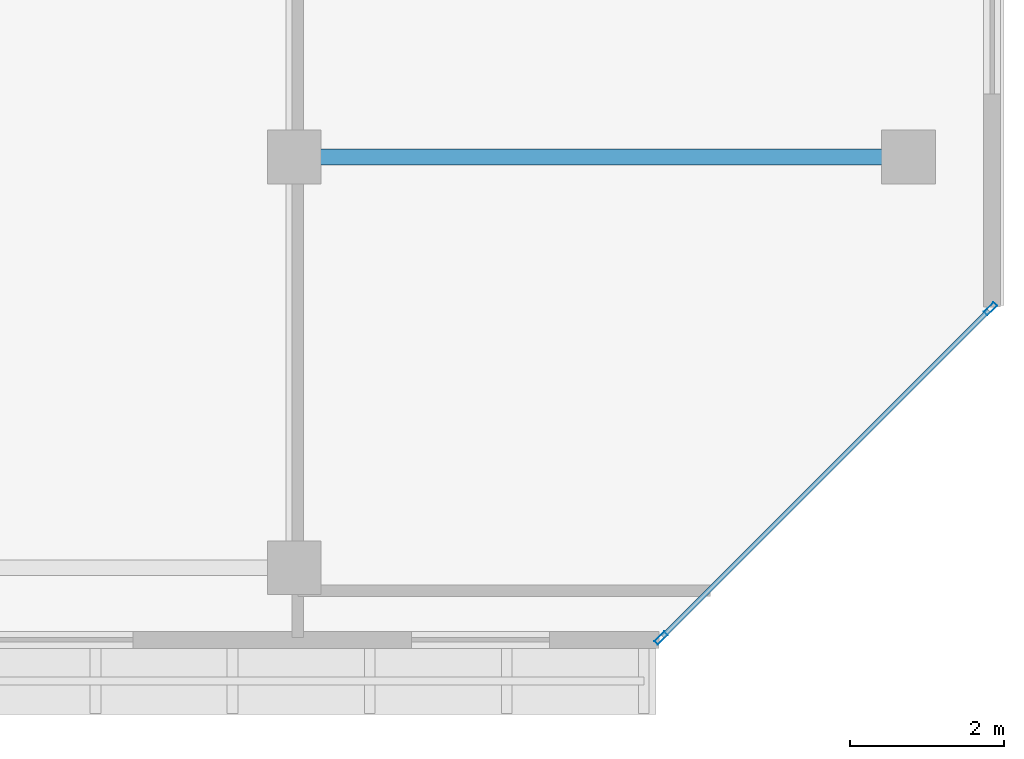
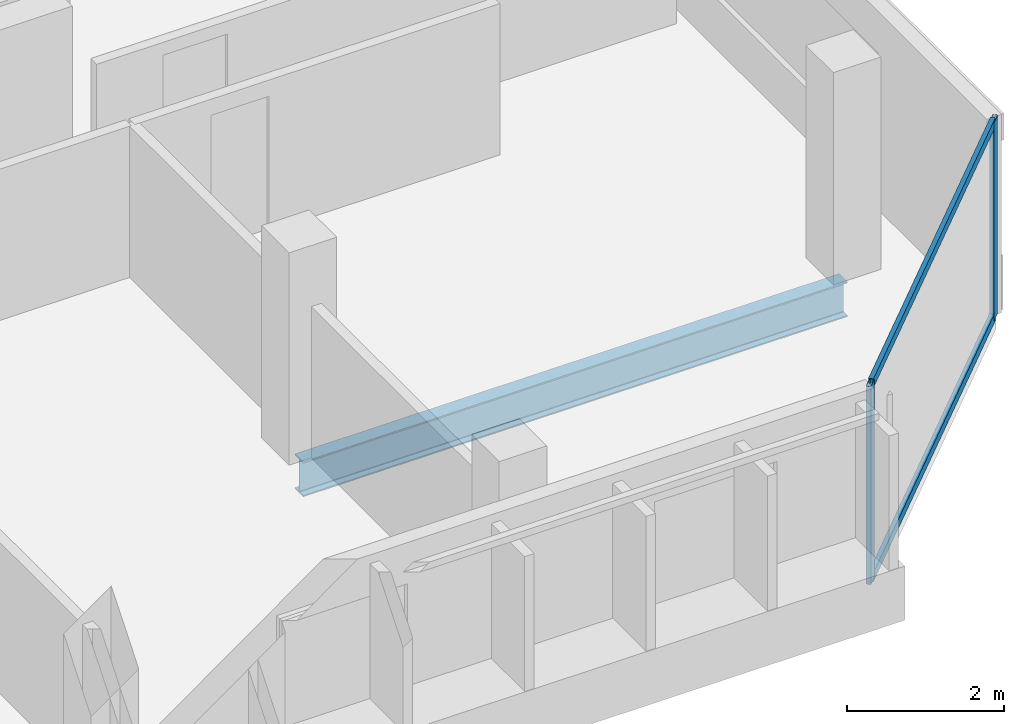
# One storey, part 16 of 28: 4 members, 1 beam, 1 element without a shape of its own.
"""IFC4 building model written with IfcOpenShell, lengths in metres."""

import ifcopenshell
import ifcopenshell.guid

model = None  # the IFC model being written
_history = None  # IfcOwnerHistory: only IFC2X3 demands one
_inside = {}  # id of a spatial element -> (the spatial element, [elements in it])
_under = {}  # id of a project, library or spatial element -> (it, [spatial elements below it])
_declared = {}  # id of a project -> (the project, [libraries it declares])
_typed = {}  # id of a type object -> (the type object, [elements of that type])
_made_of = {}  # id of a material, layer set ... -> (it, [elements and type objects made of it])


def new_model(schema):
    """Start an empty IFC model of exactly this schema.

    Asked for "IFC4X3", IfcOpenShell would pick the latest addendum, in which some entities
    have other attributes; the version numbers below select the first issue.
    IFC2X3 requires an IfcOwnerHistory on every rooted entity: one is made here for all.
    """
    global model, _history
    if schema == "IFC4X3":
        model = ifcopenshell.file(schema_version=(4, 3, 0, 0))
    else:
        model = ifcopenshell.file(schema=schema)
    _inside.clear()
    _under.clear()
    _declared.clear()
    _typed.clear()
    _made_of.clear()
    _history = None
    if model.schema == "IFC2X3":
        org = make("IfcOrganization", Name="unknown")
        user = make(
            "IfcPersonAndOrganization",
            ThePerson=make("IfcPerson", FamilyName="unknown"),
            TheOrganization=org,
        )
        app = make(
            "IfcApplication",
            ApplicationDeveloper=org,
            Version="unknown",
            ApplicationFullName="unknown",
            ApplicationIdentifier="unknown",
        )
        _history = make(
            "IfcOwnerHistory",
            OwningUser=user,
            OwningApplication=app,
            ChangeAction="ADDED",
            CreationDate=0,
        )
    return model


def make(cls, **values):
    """One entity of the class cls with the attributes given. An attribute that is None is left unset."""
    return model.create_entity(
        cls, **{name: value for name, value in values.items() if value is not None}
    )


def rooted(cls, **values):
    """An entity with a GlobalId (a new one), such as an element, a storey or a relation."""
    return make(cls, GlobalId=ifcopenshell.guid.new(), OwnerHistory=_history, **values)


def si_unit(unit_type, name, prefix=None):
    """IfcSIUnit, for example si_unit("LENGTHUNIT", "METRE", prefix="MILLI")."""
    return make("IfcSIUnit", UnitType=unit_type, Prefix=prefix, Name=name)


def assignment(units):
    """IfcUnitAssignment: the units of a project."""
    return None if units is None else make("IfcUnitAssignment", Units=units)


def point(xyz):
    """IfcCartesianPoint."""
    return None if xyz is None else make("IfcCartesianPoint", Coordinates=xyz)


def direction(xyz):
    """IfcDirection."""
    return None if xyz is None else make("IfcDirection", DirectionRatios=xyz)


def frame(location, z_axis=None, x_axis=None):
    """IfcAxis2Placement3D, a coordinate frame: its origin and axes. An axis left out is left unset."""
    return make(
        "IfcAxis2Placement3D",
        Location=point(location),
        Axis=direction(z_axis),
        RefDirection=direction(x_axis),
    )


def frame_2d(location, x_axis=None):
    """IfcAxis2Placement2D, a coordinate frame in the plane: its origin and x axis."""
    return make(
        "IfcAxis2Placement2D", Location=point(location), RefDirection=direction(x_axis)
    )


def origin():
    """The frame at (0, 0, 0) with its axes left unset."""
    return frame((0.0, 0.0, 0.0))


def origin_2d():
    """The frame at (0, 0) in the plane with its x axis left unset."""
    return frame_2d((0.0, 0.0))


def place(relative_to, where):
    """IfcLocalPlacement: puts the frame where relative to a parent placement (None: the world)."""
    return make(
        "IfcLocalPlacement", PlacementRelTo=relative_to, RelativePlacement=where
    )


def context(
    kind, dimensions, precision=None, world=None, true_north=None, identifier=None
):
    """IfcGeometricRepresentationContext, for example the 3D "Model" context."""
    return make(
        "IfcGeometricRepresentationContext",
        ContextIdentifier=identifier,
        ContextType=kind,
        CoordinateSpaceDimension=dimensions,
        Precision=precision,
        WorldCoordinateSystem=world,
        TrueNorth=true_north,
    )


def subcontext(parent, identifier, kind, view, scale=None):
    """IfcGeometricRepresentationSubContext, for example "Body" below "Model"."""
    return make(
        "IfcGeometricRepresentationSubContext",
        ContextIdentifier=identifier,
        ContextType=kind,
        ParentContext=parent,
        TargetScale=scale,
        TargetView=view,
    )


def project(units=None, contexts=None):
    """IfcProject with its units and contexts."""
    return rooted(
        "IfcProject",
        Name="project",
        RepresentationContexts=contexts,
        UnitsInContext=assignment(units),
    )


def spatial(cls, under=None, at=None, **own):
    """A site, building, storey or space (cls), placed at a placement, below another one or the project."""
    s = rooted(cls, ObjectPlacement=at, **own)
    if under is not None:
        _under.setdefault(under.id(), (under, []))[1].append(s)
    return s


def profile(cls, at=None, kind="AREA", **sizes):
    """A parametric profile (cls). Its sizes go by their IFC names, for example OverallWidth=200.0."""
    return make(cls, ProfileType=kind, Position=at, **sizes)


def hollow_rectangle(**sizes):
    """IfcRectangleHollowProfileDef."""
    return profile("IfcRectangleHollowProfileDef", **sizes)


def i_section(**sizes):
    """IfcIShapeProfileDef."""
    return profile("IfcIShapeProfileDef", **sizes)


def extrude(swept, where, along, depth):
    """IfcExtrudedAreaSolid: the profile swept, set in the frame where, extruded along a direction by depth."""
    return make(
        "IfcExtrudedAreaSolid",
        SweptArea=swept,
        Position=where,
        ExtrudedDirection=direction(along),
        Depth=depth,
    )


def shape(context_of_items, identifier, shape_type, items):
    """IfcShapeRepresentation: the items that make up one representation, for example the "Body"."""
    return make(
        "IfcShapeRepresentation",
        ContextOfItems=context_of_items,
        RepresentationIdentifier=identifier,
        RepresentationType=shape_type,
        Items=items,
    )


def material(Name=None, Category=None):
    """IfcMaterial."""
    return make("IfcMaterial", Name=Name, Category=Category)


def layer(
    of_material, thickness, ventilated=None, Name=None, Category=None, Priority=None
):
    """IfcMaterialLayer: one layer of a wall or slab, of a material (None: an air gap)."""
    return make(
        "IfcMaterialLayer",
        Material=of_material,
        LayerThickness=thickness,
        IsVentilated=ventilated,
        Name=Name,
        Category=Category,
        Priority=Priority,
    )


def layer_set(layers, Name=None):
    """IfcMaterialLayerSet."""
    return make("IfcMaterialLayerSet", MaterialLayers=layers, LayerSetName=Name)


def material_profile(
    of_material, cross_section, Name=None, Category=None, Priority=None
):
    """IfcMaterialProfile: a cross section and its material."""
    return make(
        "IfcMaterialProfile",
        Name=Name,
        Material=of_material,
        Profile=cross_section,
        Priority=Priority,
        Category=Category,
    )


def profile_set(profiles, Name=None, composite=None):
    """IfcMaterialProfileSet."""
    return make(
        "IfcMaterialProfileSet",
        Name=Name,
        MaterialProfiles=profiles,
        CompositeProfile=composite,
    )


def made_of(thing, what):
    """Note that an element or type object is made of a material, layer set ...; save() writes the relation."""
    if what is not None:
        _made_of.setdefault(what.id(), (what, []))[1].append(thing)
    return thing


def type_object(cls, material=None, **own):
    """A type object (cls), such as IfcWallType, which elements share."""
    return made_of(rooted(cls, **own), material)


def element(
    cls,
    number,
    at=None,
    inside=None,
    cuts=None,
    type_object=None,
    material=None,
    context=None,
    identifier="Body",
    shape_type=None,
    held_by="IfcProductDefinitionShape",
    body=None,
    shapes=None,
    **own,
):
    """One element of the class cls, such as IfcWall. Its Tag is "e" and its number.

    at: its placement. inside: the storey or other place that contains it. cuts: it is an
    opening in that element (IfcRelVoidsElement). A single representation is given by context,
    identifier, shape_type and body (its items); several are given by shapes. held_by: the class
    of the entity that holds the representations. save() writes the other relations.
    """
    e = rooted(cls, Tag="e%d" % number, ObjectPlacement=at, **own)
    if body is not None:
        shapes = [shape(context, identifier, shape_type, body)]
    if shapes is not None:
        e.Representation = make(held_by, Representations=shapes)
    if inside is not None:
        _inside.setdefault(inside.id(), (inside, []))[1].append(e)
    if cuts is not None:
        rooted(
            "IfcRelVoidsElement", RelatingBuildingElement=cuts, RelatedOpeningElement=e
        )
    if type_object is not None:
        _typed.setdefault(type_object.id(), (type_object, []))[1].append(e)
    return made_of(e, material)


def aggregate(whole, parts):
    """IfcRelAggregates: a whole, such as a stair, and the parts it consists of."""
    return rooted("IfcRelAggregates", RelatingObject=whole, RelatedObjects=parts)


def save(model, path):
    """Write the relations noted so far, then the file.

    IfcRelAggregates (storeys below a building ...), IfcRelContainedInSpatialStructure (elements
    in a storey), IfcRelDefinesByType, IfcRelAssociatesMaterial and IfcRelDeclares: one each for
    every whole, place, type object, material and project.
    """
    for whole, parts in _under.values():
        aggregate(whole, parts)
    for where, things in _inside.values():
        rooted(
            "IfcRelContainedInSpatialStructure",
            RelatedElements=things,
            RelatingStructure=where,
        )
    for kind, things in _typed.values():
        rooted("IfcRelDefinesByType", RelatedObjects=things, RelatingType=kind)
    for what, things in _made_of.values():
        rooted("IfcRelAssociatesMaterial", RelatedObjects=things, RelatingMaterial=what)
    for by, libraries in _declared.values():
        rooted("IfcRelDeclares", RelatingContext=by, RelatedDefinitions=libraries)
    model.write(path)


model = new_model("IFC4")

# Units and contexts
model_context = context("Model", 3, precision=1e-05, world=origin(), true_north=direction((0.0, 1.0)))
body_context = subcontext(model_context, "Body", "Model", "MODEL_VIEW")
ifc_project = project(units=[si_unit("LENGTHUNIT", "METRE"), si_unit("AREAUNIT", "SQUARE_METRE"), si_unit("VOLUMEUNIT", "CUBIC_METRE"), si_unit("PLANEANGLEUNIT", "RADIAN"), si_unit("MASSUNIT", "GRAM", prefix="KILO")], contexts=[model_context])

# Site, building, storey
site_placement = place(None, origin())
site = spatial("IfcSite", under=ifc_project, at=site_placement, CompositionType="ELEMENT")
building_placement = place(site_placement, origin())
building = spatial("IfcBuilding", under=site, at=building_placement, Name="Tanjung Sevakor Pilgrim Tower", CompositionType="ELEMENT")
storey_placement = place(building_placement, frame((0.0, 0.0, 239.25)))
storey = spatial("IfcBuildingStorey", under=building, at=storey_placement, Name="L67", CompositionType="ELEMENT", Elevation=239.25)

# Beam
ifc_material_1 = material(Name="Steel S355J2", Category="steel")
ifc_material_profile_1 = material_profile(ifc_material_1, i_section(OverallWidth=0.2119140625, OverallDepth=0.54443359375, WebThickness=0.0126953125, FlangeThickness=0.021240234375, FilletRadius=0.0126953125, at=origin_2d()))
ifc_profile_set_1 = profile_set([ifc_material_profile_1], Name="Steel S355J2")
beam_type = type_object("IfcBeamType", Name="BM-B-G5-UB_533x210x122", PredefinedType="BEAM", material=ifc_profile_set_1)
beam_placement = place(storey_placement, frame((90.0, 18.60009765625, -0.4921875), z_axis=(1.0, 0.0, 0.0), x_axis=(0.0, 1.0, 0.0)))
element("IfcBeam", 1, at=beam_placement, inside=storey, type_object=beam_type, Name="L67 East Peak Wing Girder Y18.6", PredefinedType="BEAM", context=body_context, shape_type="SweptSolid", body=[
    extrude(i_section(OverallWidth=0.2119140625, OverallDepth=0.54443359375, WebThickness=0.0126953125, FlangeThickness=0.021240234375, FilletRadius=0.0126953125, at=origin_2d()), origin(), (0.0, 0.0, 1.0), 8.0),
])

# Curtain wall, members
ifc_material_2 = material(Name="Aluminium 6063-T6 and Low-E Glass", Category="aluminium")
ifc_layer = layer(ifc_material_2, 0.179931640625)
ifc_layer_set = layer_set([ifc_layer], Name="CW-SYS-CHAM")
curtain_wall_type = type_object("IfcCurtainWallType", Name="CW-SYS-CHAM", PredefinedType="NOTDEFINED", material=ifc_layer_set)
curtain_wall_placement = place(storey_placement, origin())
curtain_wall = element("IfcCurtainWall", 2, at=curtain_wall_placement, inside=storey, type_object=curtain_wall_type, Name="L67 Curtain Wall CW-CHM-L67-EAST-1", PredefinedType="NOTDEFINED")
ifc_material_3 = material(Name="Aluminium 6063-T6", Category="aluminium")
ifc_material_profile_2 = material_profile(ifc_material_3, hollow_rectangle(XDim=0.06494140625, YDim=0.179931640625, WallThickness=0.00390625, at=origin_2d()))
ifc_profile_set_2 = profile_set([ifc_material_profile_2], Name="Aluminium 6063-T6")
member_type_1 = type_object("IfcMemberType", Name="TYPE-CWM-1", PredefinedType="MULLION", material=ifc_profile_set_2)
member_1_placement = place(storey_placement, frame((94.77734375, 12.3330078125, 0.0), z_axis=(0.0, 0.0, 1.0), x_axis=(-0.707106781187, 0.707106781187, 0.0)))
member_1 = element("IfcMember", 3, at=member_1_placement, type_object=member_type_1, Name="CW-CHM mullion 1", PredefinedType="MULLION", context=body_context, shape_type="SweptSolid", body=[
    extrude(hollow_rectangle(XDim=0.06494140625, YDim=0.179931640625, WallThickness=0.00390625, at=origin_2d()), origin(), (0.0, 0.0, 1.0), 3.080078125),
])
member_2_placement = place(storey_placement, frame((99.067138671875, 16.62255859375, 0.0), z_axis=(0.0, 0.0, 1.0), x_axis=(-0.707106781187, 0.707106781187, 0.0)))
member_2 = element("IfcMember", 4, at=member_2_placement, type_object=member_type_1, Name="CW-CHM mullion 2", PredefinedType="MULLION", context=body_context, shape_type="SweptSolid", body=[
    extrude(hollow_rectangle(XDim=0.06494140625, YDim=0.179931640625, WallThickness=0.00390625, at=origin_2d()), origin(), (0.0, 0.0, 1.0), 3.080078125),
])
ifc_material_4 = material(Name="Aluminium 6063-T6", Category="aluminium")
ifc_material_profile_3 = material_profile(ifc_material_4, hollow_rectangle(XDim=0.06494140625, YDim=0.139892578125, WallThickness=0.00390625, at=origin_2d()))
ifc_profile_set_3 = profile_set([ifc_material_profile_3], Name="Aluminium 6063-T6")
member_type_2 = type_object("IfcMemberType", Name="TYPE-CWT-1", PredefinedType="USERDEFINED", material=ifc_profile_set_3)
member_3_placement = place(storey_placement, frame((94.80029296875, 12.35595703125, 0.032470703125), z_axis=(0.707106781187, 0.707106781187, 0.0), x_axis=(-0.707106781187, 0.707106781187, 0.0)))
member_3 = element("IfcMember", 5, at=member_3_placement, type_object=member_type_2, Name="CW-CHM transom 1.1", ObjectType="TRANSOM", PredefinedType="USERDEFINED", context=body_context, shape_type="SweptSolid", body=[
    extrude(hollow_rectangle(XDim=0.06494140625, YDim=0.139892578125, WallThickness=0.00390625, at=origin_2d()), origin(), (0.0, 0.0, 1.0), 6.00146484375),
])
member_4_placement = place(storey_placement, frame((94.80029296875, 12.35595703125, 3.047607421875), z_axis=(0.707106781187, 0.707106781187, 0.0), x_axis=(-0.707106781187, 0.707106781187, 0.0)))
member_4 = element("IfcMember", 6, at=member_4_placement, type_object=member_type_2, Name="CW-CHM transom 1.2", ObjectType="TRANSOM", PredefinedType="USERDEFINED", context=body_context, shape_type="SweptSolid", body=[
    extrude(hollow_rectangle(XDim=0.06494140625, YDim=0.139892578125, WallThickness=0.00390625, at=origin_2d()), origin(), (0.0, 0.0, 1.0), 6.00146484375),
])
aggregate(curtain_wall, [member_1, member_2, member_3, member_4])

save(model, "model.ifc")
